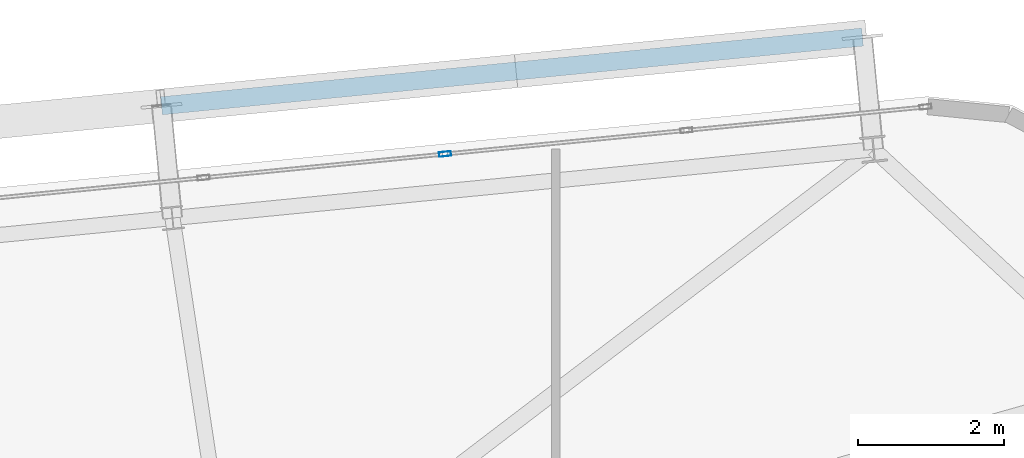
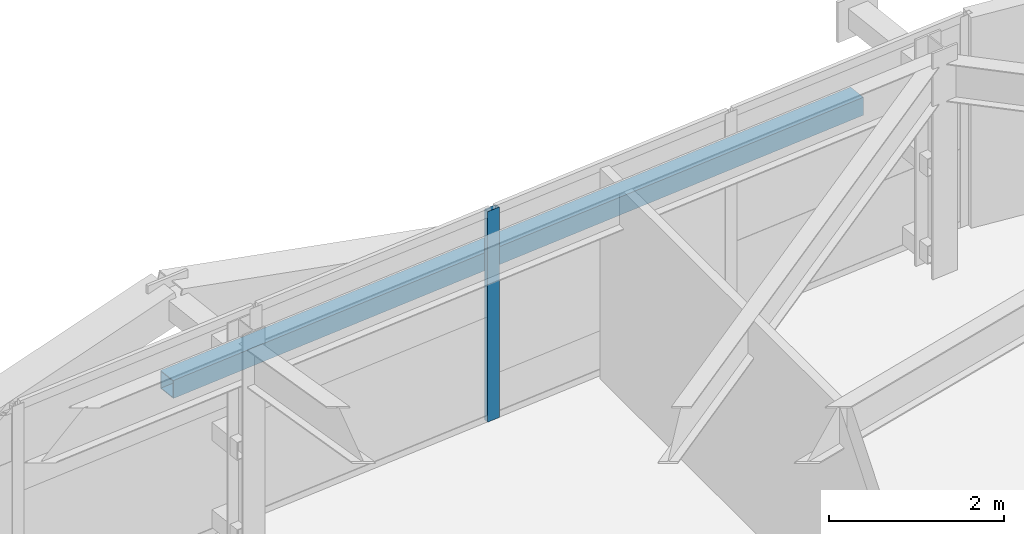
# One storey, part 33 of 53: 2 members, 1 element without a shape of its own.
"""IFC4 building model written with IfcOpenShell, lengths in metres."""

import ifcopenshell
import ifcopenshell.guid

model = None  # the IFC model being written
_history = None  # IfcOwnerHistory: only IFC2X3 demands one
_inside = {}  # id of a spatial element -> (the spatial element, [elements in it])
_under = {}  # id of a project, library or spatial element -> (it, [spatial elements below it])
_declared = {}  # id of a project -> (the project, [libraries it declares])
_typed = {}  # id of a type object -> (the type object, [elements of that type])
_made_of = {}  # id of a material, layer set ... -> (it, [elements and type objects made of it])


def new_model(schema):
    """Start an empty IFC model of exactly this schema.

    Asked for "IFC4X3", IfcOpenShell would pick the latest addendum, in which some entities
    have other attributes; the version numbers below select the first issue.
    IFC2X3 requires an IfcOwnerHistory on every rooted entity: one is made here for all.
    """
    global model, _history
    if schema == "IFC4X3":
        model = ifcopenshell.file(schema_version=(4, 3, 0, 0))
    else:
        model = ifcopenshell.file(schema=schema)
    _inside.clear()
    _under.clear()
    _declared.clear()
    _typed.clear()
    _made_of.clear()
    _history = None
    if model.schema == "IFC2X3":
        org = make("IfcOrganization", Name="unknown")
        user = make(
            "IfcPersonAndOrganization",
            ThePerson=make("IfcPerson", FamilyName="unknown"),
            TheOrganization=org,
        )
        app = make(
            "IfcApplication",
            ApplicationDeveloper=org,
            Version="unknown",
            ApplicationFullName="unknown",
            ApplicationIdentifier="unknown",
        )
        _history = make(
            "IfcOwnerHistory",
            OwningUser=user,
            OwningApplication=app,
            ChangeAction="ADDED",
            CreationDate=0,
        )
    return model


def make(cls, **values):
    """One entity of the class cls with the attributes given. An attribute that is None is left unset."""
    return model.create_entity(
        cls, **{name: value for name, value in values.items() if value is not None}
    )


def rooted(cls, **values):
    """An entity with a GlobalId (a new one), such as an element, a storey or a relation."""
    return make(cls, GlobalId=ifcopenshell.guid.new(), OwnerHistory=_history, **values)


def si_unit(unit_type, name, prefix=None):
    """IfcSIUnit, for example si_unit("LENGTHUNIT", "METRE", prefix="MILLI")."""
    return make("IfcSIUnit", UnitType=unit_type, Prefix=prefix, Name=name)


def assignment(units):
    """IfcUnitAssignment: the units of a project."""
    return None if units is None else make("IfcUnitAssignment", Units=units)


def point(xyz):
    """IfcCartesianPoint."""
    return None if xyz is None else make("IfcCartesianPoint", Coordinates=xyz)


def direction(xyz):
    """IfcDirection."""
    return None if xyz is None else make("IfcDirection", DirectionRatios=xyz)


def frame(location, z_axis=None, x_axis=None):
    """IfcAxis2Placement3D, a coordinate frame: its origin and axes. An axis left out is left unset."""
    return make(
        "IfcAxis2Placement3D",
        Location=point(location),
        Axis=direction(z_axis),
        RefDirection=direction(x_axis),
    )


def frame_2d(location, x_axis=None):
    """IfcAxis2Placement2D, a coordinate frame in the plane: its origin and x axis."""
    return make(
        "IfcAxis2Placement2D", Location=point(location), RefDirection=direction(x_axis)
    )


def origin():
    """The frame at (0, 0, 0) with its axes left unset."""
    return frame((0.0, 0.0, 0.0))


def origin_2d():
    """The frame at (0, 0) in the plane with its x axis left unset."""
    return frame_2d((0.0, 0.0))


def place(relative_to, where):
    """IfcLocalPlacement: puts the frame where relative to a parent placement (None: the world)."""
    return make(
        "IfcLocalPlacement", PlacementRelTo=relative_to, RelativePlacement=where
    )


def context(
    kind, dimensions, precision=None, world=None, true_north=None, identifier=None
):
    """IfcGeometricRepresentationContext, for example the 3D "Model" context."""
    return make(
        "IfcGeometricRepresentationContext",
        ContextIdentifier=identifier,
        ContextType=kind,
        CoordinateSpaceDimension=dimensions,
        Precision=precision,
        WorldCoordinateSystem=world,
        TrueNorth=true_north,
    )


def subcontext(parent, identifier, kind, view, scale=None):
    """IfcGeometricRepresentationSubContext, for example "Body" below "Model"."""
    return make(
        "IfcGeometricRepresentationSubContext",
        ContextIdentifier=identifier,
        ContextType=kind,
        ParentContext=parent,
        TargetScale=scale,
        TargetView=view,
    )


def project(units=None, contexts=None):
    """IfcProject with its units and contexts."""
    return rooted(
        "IfcProject",
        Name="project",
        RepresentationContexts=contexts,
        UnitsInContext=assignment(units),
    )


def spatial(cls, under=None, at=None, **own):
    """A site, building, storey or space (cls), placed at a placement, below another one or the project."""
    s = rooted(cls, ObjectPlacement=at, **own)
    if under is not None:
        _under.setdefault(under.id(), (under, []))[1].append(s)
    return s


def profile(cls, at=None, kind="AREA", **sizes):
    """A parametric profile (cls). Its sizes go by their IFC names, for example OverallWidth=200.0."""
    return make(cls, ProfileType=kind, Position=at, **sizes)


def hollow_rectangle(**sizes):
    """IfcRectangleHollowProfileDef."""
    return profile("IfcRectangleHollowProfileDef", **sizes)


def extrude(swept, where, along, depth):
    """IfcExtrudedAreaSolid: the profile swept, set in the frame where, extruded along a direction by depth."""
    return make(
        "IfcExtrudedAreaSolid",
        SweptArea=swept,
        Position=where,
        ExtrudedDirection=direction(along),
        Depth=depth,
    )


def shape(context_of_items, identifier, shape_type, items):
    """IfcShapeRepresentation: the items that make up one representation, for example the "Body"."""
    return make(
        "IfcShapeRepresentation",
        ContextOfItems=context_of_items,
        RepresentationIdentifier=identifier,
        RepresentationType=shape_type,
        Items=items,
    )


def source(mapping_origin, context_of_items, identifier, shape_type, items):
    """IfcRepresentationMap: a shape defined once, which mapped items show again and again."""
    return make(
        "IfcRepresentationMap",
        MappingOrigin=mapping_origin,
        MappedRepresentation=shape(context_of_items, identifier, shape_type, items),
    )


def transform(
    local_origin,
    x_axis=None,
    y_axis=None,
    z_axis=None,
    scale=None,
    scale2=None,
    scale3=None,
    uniform=True,
):
    """IfcCartesianTransformationOperator3D, or its non-uniform kind. x_axis, y_axis, z_axis: its Axis1, 2, 3."""
    if uniform:
        return make(
            "IfcCartesianTransformationOperator3D",
            Axis1=direction(x_axis),
            Axis2=direction(y_axis),
            LocalOrigin=point(local_origin),
            Scale=scale,
            Axis3=direction(z_axis),
        )
    return make(
        "IfcCartesianTransformationOperator3DnonUniform",
        Axis1=direction(x_axis),
        Axis2=direction(y_axis),
        LocalOrigin=point(local_origin),
        Scale=scale,
        Axis3=direction(z_axis),
        Scale2=scale2,
        Scale3=scale3,
    )


def mapped(mapping_source, mapping_target):
    """IfcMappedItem: shows the shape of a source again, moved by a transform."""
    return make(
        "IfcMappedItem", MappingSource=mapping_source, MappingTarget=mapping_target
    )


def material(Name=None, Category=None):
    """IfcMaterial."""
    return make("IfcMaterial", Name=Name, Category=Category)


def layer(
    of_material, thickness, ventilated=None, Name=None, Category=None, Priority=None
):
    """IfcMaterialLayer: one layer of a wall or slab, of a material (None: an air gap)."""
    return make(
        "IfcMaterialLayer",
        Material=of_material,
        LayerThickness=thickness,
        IsVentilated=ventilated,
        Name=Name,
        Category=Category,
        Priority=Priority,
    )


def layer_set(layers, Name=None):
    """IfcMaterialLayerSet."""
    return make("IfcMaterialLayerSet", MaterialLayers=layers, LayerSetName=Name)


def material_profile(
    of_material, cross_section, Name=None, Category=None, Priority=None
):
    """IfcMaterialProfile: a cross section and its material."""
    return make(
        "IfcMaterialProfile",
        Name=Name,
        Material=of_material,
        Profile=cross_section,
        Priority=Priority,
        Category=Category,
    )


def profile_set(profiles, Name=None, composite=None):
    """IfcMaterialProfileSet."""
    return make(
        "IfcMaterialProfileSet",
        Name=Name,
        MaterialProfiles=profiles,
        CompositeProfile=composite,
    )


def made_of(thing, what):
    """Note that an element or type object is made of a material, layer set ...; save() writes the relation."""
    if what is not None:
        _made_of.setdefault(what.id(), (what, []))[1].append(thing)
    return thing


def type_object(cls, material=None, **own):
    """A type object (cls), such as IfcWallType, which elements share."""
    return made_of(rooted(cls, **own), material)


def element(
    cls,
    number,
    at=None,
    inside=None,
    cuts=None,
    type_object=None,
    material=None,
    context=None,
    identifier="Body",
    shape_type=None,
    held_by="IfcProductDefinitionShape",
    body=None,
    shapes=None,
    **own,
):
    """One element of the class cls, such as IfcWall. Its Tag is "e" and its number.

    at: its placement. inside: the storey or other place that contains it. cuts: it is an
    opening in that element (IfcRelVoidsElement). A single representation is given by context,
    identifier, shape_type and body (its items); several are given by shapes. held_by: the class
    of the entity that holds the representations. save() writes the other relations.
    """
    e = rooted(cls, Tag="e%d" % number, ObjectPlacement=at, **own)
    if body is not None:
        shapes = [shape(context, identifier, shape_type, body)]
    if shapes is not None:
        e.Representation = make(held_by, Representations=shapes)
    if inside is not None:
        _inside.setdefault(inside.id(), (inside, []))[1].append(e)
    if cuts is not None:
        rooted(
            "IfcRelVoidsElement", RelatingBuildingElement=cuts, RelatedOpeningElement=e
        )
    if type_object is not None:
        _typed.setdefault(type_object.id(), (type_object, []))[1].append(e)
    return made_of(e, material)


def aggregate(whole, parts):
    """IfcRelAggregates: a whole, such as a stair, and the parts it consists of."""
    return rooted("IfcRelAggregates", RelatingObject=whole, RelatedObjects=parts)


def save(model, path):
    """Write the relations noted so far, then the file.

    IfcRelAggregates (storeys below a building ...), IfcRelContainedInSpatialStructure (elements
    in a storey), IfcRelDefinesByType, IfcRelAssociatesMaterial and IfcRelDeclares: one each for
    every whole, place, type object, material and project.
    """
    for whole, parts in _under.values():
        aggregate(whole, parts)
    for where, things in _inside.values():
        rooted(
            "IfcRelContainedInSpatialStructure",
            RelatedElements=things,
            RelatingStructure=where,
        )
    for kind, things in _typed.values():
        rooted("IfcRelDefinesByType", RelatedObjects=things, RelatingType=kind)
    for what, things in _made_of.values():
        rooted("IfcRelAssociatesMaterial", RelatedObjects=things, RelatingMaterial=what)
    for by, libraries in _declared.values():
        rooted("IfcRelDeclares", RelatingContext=by, RelatedDefinitions=libraries)
    model.write(path)


model = new_model("IFC4")

# Units and contexts
model_context = context("Model", 3, precision=1e-05, world=origin(), true_north=direction((0.0, 1.0)))
body_context = subcontext(model_context, "Body", "Model", "MODEL_VIEW")
ifc_project = project(units=[si_unit("LENGTHUNIT", "METRE"), si_unit("AREAUNIT", "SQUARE_METRE"), si_unit("VOLUMEUNIT", "CUBIC_METRE"), si_unit("PLANEANGLEUNIT", "RADIAN"), si_unit("MASSUNIT", "GRAM", prefix="KILO")], contexts=[model_context])

# Site, building, storey
site_placement = place(None, origin())
site = spatial("IfcSite", under=ifc_project, at=site_placement, CompositionType="ELEMENT")
building_placement = place(site_placement, origin())
building = spatial("IfcBuilding", under=site, at=building_placement, Name="Taldren Reach Tower", CompositionType="ELEMENT")
storey_placement = place(building_placement, frame((0.0, 0.0, 84.0)))
storey = spatial("IfcBuildingStorey", under=building, at=storey_placement, Name="L25", CompositionType="ELEMENT", Elevation=84.0)

# Member
ifc_material_1 = material(Name="Steel Gr 350 (C350L0)", Category="steel")
ifc_material_profile_1 = material_profile(ifc_material_1, hollow_rectangle(XDim=0.25, YDim=0.25, WallThickness=0.010009765625, at=origin_2d()), Name="250x250x10.0SHS")
ifc_profile_set_1 = profile_set([ifc_material_profile_1], Name="Steel Gr 350 (C350L0)")
member_type_1 = type_object("IfcMemberType", Name="MB-POST250", PredefinedType="POST", material=ifc_profile_set_1)
shared_shape_1 = source(origin(), body_context, "Body", "SweptSolid", [
    extrude(hollow_rectangle(XDim=0.25, YDim=0.25, WallThickness=0.010009765625, at=origin_2d()), origin(), (0.0, 0.0, 1.0), 9.679931640625),
])
member_1_placement = place(storey_placement, frame((49.980712890625, 39.27783203125, 1.43505859375), z_axis=(0.995227612658, 0.097580730699, 0.0), x_axis=(-0.097580730699, 0.995227612658, 0.0)))
element("IfcMember", 1, at=member_1_placement, inside=storey, type_object=member_type_1, Name="Exoskeleton mid-height ring chord B2-N5 L25", PredefinedType="POST", context=body_context, shape_type="MappedRepresentation", body=[
    mapped(shared_shape_1, transform((0.0, 0.0, 0.0), scale=1.0)),
])

# Curtain wall, member
ifc_material_2 = material(Name="Aluminium and Low-E Glass Unitised System", Category="aluminium")
ifc_layer = layer(ifc_material_2, 0.159912109375)
ifc_layer_set = layer_set([ifc_layer], Name="Aluminium and Low-E Glass Unitised System")
curtain_wall_type = type_object("IfcCurtainWallType", Name="CW-SYS-3", PredefinedType="NOTDEFINED", material=ifc_layer_set)
curtain_wall_placement = place(storey_placement, origin())
curtain_wall = element("IfcCurtainWall", 2, at=curtain_wall_placement, inside=storey, type_object=curtain_wall_type, Name="Unitised curtain wall CW-L25-N", PredefinedType="NOTDEFINED")
ifc_material_3 = material(Name="Anodised Aluminium 6063-T6", Category="aluminium")
ifc_material_profile_2 = material_profile(ifc_material_3, hollow_rectangle(XDim=0.06494140625, YDim=0.1650390625, WallThickness=0.00390625, at=origin_2d()), Name="ALU-165x65x4RHS")
ifc_profile_set_2 = profile_set([ifc_material_profile_2], Name="Anodised Aluminium 6063-T6")
member_type_2 = type_object("IfcMemberType", Name="CW-MUL-165", PredefinedType="MULLION", material=ifc_profile_set_2)
shared_shape_2 = source(origin(), body_context, "Body", "SweptSolid", [
    extrude(hollow_rectangle(XDim=0.06494140625, YDim=0.1650390625, WallThickness=0.00390625, at=origin_2d()), origin(), (0.0, 0.0, 1.0), 2.929931640625),
])
member_2_placement = place(storey_placement, frame((53.87744140625, 38.614990234375, 0.0), z_axis=(0.0, 0.0, 1.0), x_axis=(0.097582999046, -0.995227390247, 0.0)))
member_2 = element("IfcMember", 3, at=member_2_placement, type_object=member_type_2, Name="CW-3 mullion 3", PredefinedType="MULLION", context=body_context, shape_type="MappedRepresentation", body=[
    mapped(shared_shape_2, transform((0.0, 0.0, 0.0), scale=1.0)),
])
aggregate(curtain_wall, [member_2])

save(model, "model.ifc")
